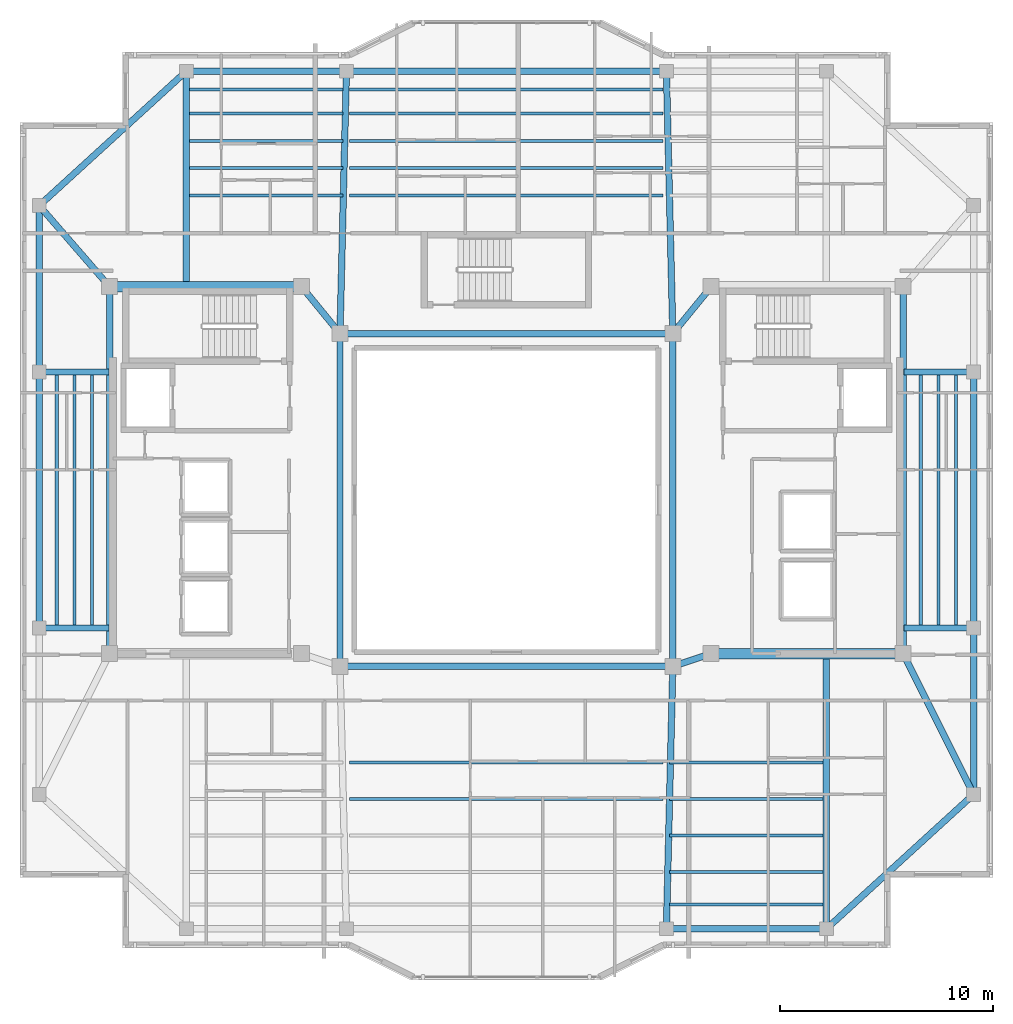
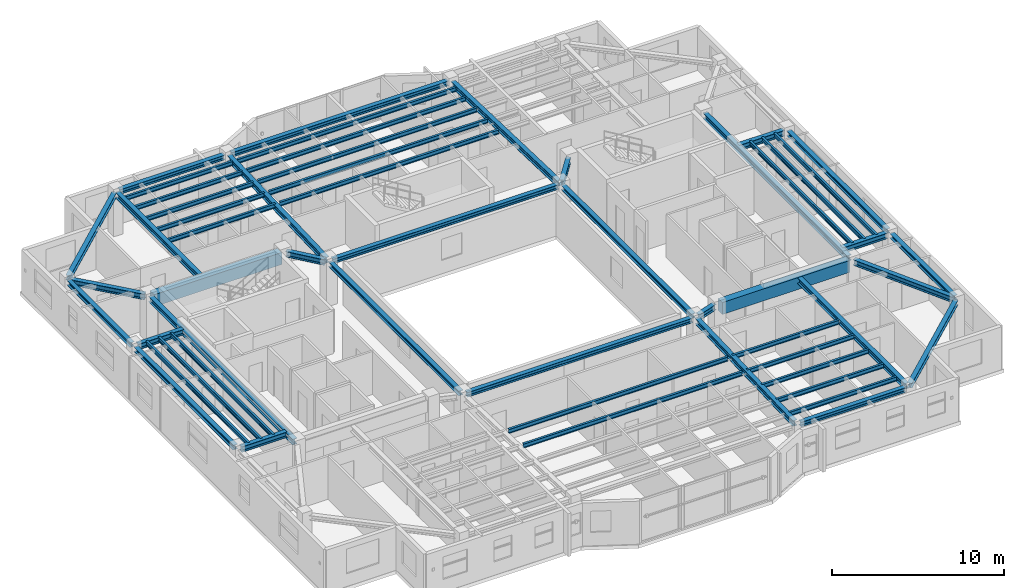
# One storey, part 3 of 15: 54 beams.
"""IFC4 building model written with IfcOpenShell, lengths in metres."""

from ifc_helpers import new_model, si_unit, direction, frame, origin, origin_2d, place, context, subcontext, project, spatial, rectangle, i_section, extrude, material, material_profile, profile_set, type_object, element, save


model = new_model("IFC4")

# Units and contexts
model_context = context("Model", 3, precision=1e-05, world=origin(), true_north=direction((0.0, 1.0)))
body_context = subcontext(model_context, "Body", "Model", "MODEL_VIEW")
ifc_project = project(units=[si_unit("LENGTHUNIT", "METRE"), si_unit("AREAUNIT", "SQUARE_METRE"), si_unit("VOLUMEUNIT", "CUBIC_METRE"), si_unit("PLANEANGLEUNIT", "RADIAN"), si_unit("MASSUNIT", "GRAM", prefix="KILO")], contexts=[model_context])

# Site, building, storey
site_placement = place(None, origin())
site = spatial("IfcSite", under=ifc_project, at=site_placement, CompositionType="ELEMENT")
building_placement = place(site_placement, origin())
building = spatial("IfcBuilding", under=site, at=building_placement, Name="Tarnavaz Court Tower", CompositionType="ELEMENT")
storey_placement = place(building_placement, frame((0.0, 0.0, 268.300048828125)))
storey = spatial("IfcBuildingStorey", under=building, at=storey_placement, Name="L73", CompositionType="ELEMENT", Elevation=268.300048828125)

# Beams
ifc_material_1 = material(Name="Concrete C50/60", Category="concrete")
ifc_material_profile_1 = material_profile(ifc_material_1, rectangle(XDim=0.5, YDim=0.85009765625, at=origin_2d()), Name="RC 500X850")
ifc_profile_set_1 = profile_set([ifc_material_profile_1], Name="Concrete C50/60")
beam_type_1 = type_object("IfcBeamType", Name="BM-CB850", PredefinedType="LINTEL", material=ifc_profile_set_1)
for number, where, z_axis, x_axis, name in (
    (1, (-18.3798828125, 10.0, 2.625), (1.0, 0.0, 0.0), (0.0, 1.0, 0.0), "L73 Beam IN-CW-NO-CW-NI"),
    (2, (18.3798828125, -7.199951171875, 2.625), (-1.0, 0.0, 0.0), (0.0, -1.0, 0.0), "L73 Beam IN-CE-SO-CE-SI"),
):
    element("IfcBeam", number, at=place(storey_placement, frame(where, z_axis=z_axis, x_axis=x_axis)), inside=storey, type_object=beam_type_1, Name=name, PredefinedType="LINTEL", context=body_context, shape_type="SweptSolid", body=[
        extrude(rectangle(XDim=0.5, YDim=0.85009765625, at=origin_2d()), origin(), (0.0, 0.0, 1.0), 8.559814453125),
    ])
ifc_material_2 = material(Name="Steel S355", Category="steel")
ifc_material_profile_2 = material_profile(ifc_material_2, i_section(OverallWidth=0.300048828125, OverallDepth=0.39990234375, WebThickness=0.013427734375, FlangeThickness=0.02392578125, FilletRadius=0.027099609375, at=origin_2d()), Name="HEB 400")
ifc_profile_set_2 = profile_set([ifc_material_profile_2], Name="Steel S355")
beam_type_2 = type_object("IfcBeamType", Name="BM-G-HEB400", PredefinedType="USERDEFINED", material=ifc_profile_set_2)
beam_1_placement = place(storey_placement, frame((9.391357421875, -7.26953125, 2.849853515625), z_axis=(-0.948666544706, -0.316278021615, 0.0), x_axis=(0.316278021615, -0.948666544706, 0.0)))
element("IfcBeam", 3, at=beam_1_placement, inside=storey, type_object=beam_type_2, Name="L73 Beam IN-CE-SI-IW-SE", ObjectType="GIRDER", PredefinedType="USERDEFINED", context=body_context, shape_type="SweptSolid", body=[
    extrude(i_section(OverallWidth=0.300048828125, OverallDepth=0.39990234375, WebThickness=0.013427734375, FlangeThickness=0.02392578125, FilletRadius=0.027099609375, at=origin_2d()), origin(), (0.0, 0.0, 1.0), 1.457275390625),
])
for number, where, z_axis, x_axis, name in (
    (4, (-9.460693359375, 9.82958984375, 2.849853515625), (0.633282058357, -0.773921077735, 0.0), (0.773921077735, 0.633282058357, 0.0), "L73 Beam IN-CW-NI-IW-NW"),
    (5, (9.460693359375, 9.82958984375, 2.849853515625), (-0.633282058357, -0.773921077735, 0.0), (0.773921077735, -0.633282058357, 0.0), "L73 Beam IN-CE-NI-IW-NE"),
):
    element("IfcBeam", number, at=place(storey_placement, frame(where, z_axis=z_axis, x_axis=x_axis)), inside=storey, type_object=beam_type_2, Name=name, ObjectType="GIRDER", PredefinedType="USERDEFINED", context=body_context, shape_type="SweptSolid", body=[
        extrude(i_section(OverallWidth=0.300048828125, OverallDepth=0.39990234375, WebThickness=0.013427734375, FlangeThickness=0.02392578125, FilletRadius=0.027099609375, at=origin_2d()), origin(), (0.0, 0.0, 1.0), 2.402587890625),
    ])
for number, where, z_axis, x_axis, name in (
    (6, (-18.60009765625, -6.97998046875, 2.849853515625), (0.0, 1.0, 0.0), (-1.0, 0.0, 0.0), "L73 Beam IN-CW-SO-CW-NO"),
    (7, (18.60009765625, -6.97998046875, 2.849853515625), (0.0, 1.0, 0.0), (-1.0, 0.0, 0.0), "L73 Beam IN-CE-SO-CE-NO"),
):
    element("IfcBeam", number, at=place(storey_placement, frame(where, z_axis=z_axis, x_axis=x_axis)), inside=storey, type_object=beam_type_2, Name=name, ObjectType="GIRDER", PredefinedType="USERDEFINED", context=body_context, shape_type="SweptSolid", body=[
        extrude(i_section(OverallWidth=0.300048828125, OverallDepth=0.39990234375, WebThickness=0.013427734375, FlangeThickness=0.02392578125, FilletRadius=0.027099609375, at=origin_2d()), origin(), (0.0, 0.0, 1.0), 16.760009765625),
    ])
beam_2_placement = place(storey_placement, frame((-15.0, 10.0400390625, 2.849853515625), z_axis=(0.0, 1.0, 0.0), x_axis=(-1.0, 0.0, 0.0)))
element("IfcBeam", 8, at=beam_2_placement, inside=storey, type_object=beam_type_2, Name="L73 Beam RG-01", ObjectType="GIRDER", PredefinedType="USERDEFINED", context=body_context, shape_type="SweptSolid", body=[
    extrude(i_section(OverallWidth=0.300048828125, OverallDepth=0.39990234375, WebThickness=0.013427734375, FlangeThickness=0.02392578125, FilletRadius=0.027099609375, at=origin_2d()), origin(), (0.0, 0.0, 1.0), 9.83984375),
])
for number, where, z_axis, x_axis, name in (
    (9, (-7.794677734375, 8.02001953125, 2.849853515625), (0.024386002211, 0.99970261723, 0.0), (-0.99970261723, 0.024386002211, 0.0), "L73 Beam RG-02"),
    (10, (7.794677734375, 8.02001953125, 2.849853515625), (-0.024386002211, 0.99970261723, 0.0), (-0.99970261723, -0.024386002211, 0.0), "L73 Beam RG-03"),
    (11, (7.794677734375, -8.02001953125, 2.849853515625), (-0.024386002211, -0.99970261723, 0.0), (0.99970261723, -0.024386002211, 0.0), "L73 Beam RG-07"),
):
    element("IfcBeam", number, at=place(storey_placement, frame(where, z_axis=z_axis, x_axis=x_axis)), inside=storey, type_object=beam_type_2, Name=name, ObjectType="GIRDER", PredefinedType="USERDEFINED", context=body_context, shape_type="SweptSolid", body=[
        extrude(i_section(OverallWidth=0.300048828125, OverallDepth=0.39990234375, WebThickness=0.013427734375, FlangeThickness=0.02392578125, FilletRadius=0.027099609375, at=origin_2d()), origin(), (0.0, 0.0, 1.0), 11.863525390625),
    ])
beam_3_placement = place(storey_placement, frame((15.0, -7.239990234375, 2.849853515625), z_axis=(0.0, -1.0, 0.0), x_axis=(1.0, 0.0, 0.0)))
element("IfcBeam", 12, at=beam_3_placement, inside=storey, type_object=beam_type_2, Name="L73 Beam RG-08", ObjectType="GIRDER", PredefinedType="USERDEFINED", context=body_context, shape_type="SweptSolid", body=[
    extrude(i_section(OverallWidth=0.300048828125, OverallDepth=0.39990234375, WebThickness=0.013427734375, FlangeThickness=0.02392578125, FilletRadius=0.027099609375, at=origin_2d()), origin(), (0.0, 0.0, 1.0), 12.639892578125),
])
for number, where, z_axis, x_axis, name in (
    (13, (18.639892578125, -6.0, 2.849853515625), (1.0, 0.0, 0.0), (0.0, 1.0, 0.0), "L73 Beam RG-09"),
    (14, (18.639892578125, 6.0, 2.849853515625), (1.0, 0.0, 0.0), (0.0, 1.0, 0.0), "L73 Beam RG-10"),
):
    element("IfcBeam", number, at=place(storey_placement, frame(where, z_axis=z_axis, x_axis=x_axis)), inside=storey, type_object=beam_type_2, Name=name, ObjectType="GIRDER", PredefinedType="USERDEFINED", context=body_context, shape_type="SweptSolid", body=[
        extrude(i_section(OverallWidth=0.300048828125, OverallDepth=0.39990234375, WebThickness=0.013427734375, FlangeThickness=0.02392578125, FilletRadius=0.027099609375, at=origin_2d()), origin(), (0.0, 0.0, 1.0), 3.0400390625),
    ])
beam_4_placement = place(storey_placement, frame((18.698486328125, -7.396728515625, 2.849853515625), z_axis=(0.447185448279, -0.894441264057, 0.0), x_axis=(0.894441264057, 0.447185448279, 0.0)))
element("IfcBeam", 15, at=beam_4_placement, inside=storey, type_object=beam_type_2, Name="L73 Beam RG-11", ObjectType="GIRDER", PredefinedType="USERDEFINED", context=body_context, shape_type="SweptSolid", body=[
    extrude(i_section(OverallWidth=0.300048828125, OverallDepth=0.39990234375, WebThickness=0.013427734375, FlangeThickness=0.02392578125, FilletRadius=0.027099609375, at=origin_2d()), origin(), (0.0, 0.0, 1.0), 6.93896484375),
])
for number, where, z_axis, x_axis, name in (
    (16, (-18.639892578125, -6.0, 2.849853515625), (-1.0, 0.0, 0.0), (0.0, -1.0, 0.0), "L73 Beam RG-13"),
    (17, (-18.639892578125, 6.0, 2.849853515625), (-1.0, 0.0, 0.0), (0.0, -1.0, 0.0), "L73 Beam RG-14"),
):
    element("IfcBeam", number, at=place(storey_placement, frame(where, z_axis=z_axis, x_axis=x_axis)), inside=storey, type_object=beam_type_2, Name=name, ObjectType="GIRDER", PredefinedType="USERDEFINED", context=body_context, shape_type="SweptSolid", body=[
        extrude(i_section(OverallWidth=0.300048828125, OverallDepth=0.39990234375, WebThickness=0.013427734375, FlangeThickness=0.02392578125, FilletRadius=0.027099609375, at=origin_2d()), origin(), (0.0, 0.0, 1.0), 3.0400390625),
    ])
beam_5_placement = place(storey_placement, frame((-18.744384765625, 10.166015625, 2.849853515625), z_axis=(-0.65565475567, 0.755060819648, 0.0), x_axis=(-0.755060819648, -0.65565475567, 0.0)))
element("IfcBeam", 18, at=beam_5_placement, inside=storey, type_object=beam_type_2, Name="L73 Beam RG-16", ObjectType="GIRDER", PredefinedType="USERDEFINED", context=body_context, shape_type="SweptSolid", body=[
    extrude(i_section(OverallWidth=0.300048828125, OverallDepth=0.39990234375, WebThickness=0.013427734375, FlangeThickness=0.02392578125, FilletRadius=0.027099609375, at=origin_2d()), origin(), (0.0, 0.0, 1.0), 4.5927734375),
])
ifc_material_profile_3 = material_profile(ifc_material_2, i_section(OverallWidth=0.14990234375, OverallDepth=0.300048828125, WebThickness=0.007080078125, FlangeThickness=0.0107421875, FilletRadius=0.014892578125, at=origin_2d()), Name="IPE 300")
ifc_profile_set_3 = profile_set([ifc_material_profile_3], Name="Steel S355")
beam_type_3 = type_object("IfcBeamType", Name="BM-J-IPE300", PredefinedType="JOIST", material=ifc_profile_set_3)
beam_6_placement = place(storey_placement, frame((-14.85009765625, 14.278076171875, 2.89990234375), z_axis=(1.0, 0.0, 0.0), x_axis=(0.0, 1.0, 0.0)))
element("IfcBeam", 19, at=beam_6_placement, inside=storey, type_object=beam_type_3, Name="L73 Beam JN1-1", PredefinedType="JOIST", context=body_context, shape_type="SweptSolid", body=[
    extrude(i_section(OverallWidth=0.14990234375, OverallDepth=0.300048828125, WebThickness=0.007080078125, FlangeThickness=0.0107421875, FilletRadius=0.014892578125, at=origin_2d()), origin(), (0.0, 0.0, 1.0), 7.2001953125),
])
for number, where, z_axis, x_axis, name in (
    (20, (-7.35009765625, 14.278076171875, 2.89990234375), (1.0, 0.0, 0.0), (0.0, 1.0, 0.0), "L73 Beam JN1-2"),
    (21, (-7.35009765625, -12.31005859375, 2.89990234375), (1.0, 0.0, 0.0), (0.0, 1.0, 0.0), "L73 Beam JS1-2"),
):
    element("IfcBeam", number, at=place(storey_placement, frame(where, z_axis=z_axis, x_axis=x_axis)), inside=storey, type_object=beam_type_3, Name=name, PredefinedType="JOIST", context=body_context, shape_type="SweptSolid", body=[
        extrude(i_section(OverallWidth=0.14990234375, OverallDepth=0.300048828125, WebThickness=0.007080078125, FlangeThickness=0.0107421875, FilletRadius=0.014892578125, at=origin_2d()), origin(), (0.0, 0.0, 1.0), 14.7001953125),
    ])
for number, where, z_axis, x_axis, name in (
    (22, (7.64990234375, -12.31005859375, 2.89990234375), (1.0, 0.0, 0.0), (0.0, 1.0, 0.0), "L73 Beam JS1-3"),
    (23, (-14.85009765625, 15.555908203125, 2.89990234375), (1.0, 0.0, 0.0), (0.0, 1.0, 0.0), "L73 Beam JN2-1"),
):
    element("IfcBeam", number, at=place(storey_placement, frame(where, z_axis=z_axis, x_axis=x_axis)), inside=storey, type_object=beam_type_3, Name=name, PredefinedType="JOIST", context=body_context, shape_type="SweptSolid", body=[
        extrude(i_section(OverallWidth=0.14990234375, OverallDepth=0.300048828125, WebThickness=0.007080078125, FlangeThickness=0.0107421875, FilletRadius=0.014892578125, at=origin_2d()), origin(), (0.0, 0.0, 1.0), 7.2001953125),
    ])
for number, where, z_axis, x_axis, name in (
    (24, (-7.35009765625, 15.555908203125, 2.89990234375), (1.0, 0.0, 0.0), (0.0, 1.0, 0.0), "L73 Beam JN2-2"),
    (25, (-7.35009765625, -14.02001953125, 2.89990234375), (1.0, 0.0, 0.0), (0.0, 1.0, 0.0), "L73 Beam JS2-2"),
):
    element("IfcBeam", number, at=place(storey_placement, frame(where, z_axis=z_axis, x_axis=x_axis)), inside=storey, type_object=beam_type_3, Name=name, PredefinedType="JOIST", context=body_context, shape_type="SweptSolid", body=[
        extrude(i_section(OverallWidth=0.14990234375, OverallDepth=0.300048828125, WebThickness=0.007080078125, FlangeThickness=0.0107421875, FilletRadius=0.014892578125, at=origin_2d()), origin(), (0.0, 0.0, 1.0), 14.7001953125),
    ])
for number, where, z_axis, x_axis, name in (
    (26, (7.64990234375, -14.02001953125, 2.89990234375), (1.0, 0.0, 0.0), (0.0, 1.0, 0.0), "L73 Beam JS2-3"),
    (27, (-14.85009765625, 16.833984375, 2.89990234375), (1.0, 0.0, 0.0), (0.0, 1.0, 0.0), "L73 Beam JN3-1"),
):
    element("IfcBeam", number, at=place(storey_placement, frame(where, z_axis=z_axis, x_axis=x_axis)), inside=storey, type_object=beam_type_3, Name=name, PredefinedType="JOIST", context=body_context, shape_type="SweptSolid", body=[
        extrude(i_section(OverallWidth=0.14990234375, OverallDepth=0.300048828125, WebThickness=0.007080078125, FlangeThickness=0.0107421875, FilletRadius=0.014892578125, at=origin_2d()), origin(), (0.0, 0.0, 1.0), 7.2001953125),
    ])
beam_7_placement = place(storey_placement, frame((-7.35009765625, 16.833984375, 2.89990234375), z_axis=(1.0, 0.0, 0.0), x_axis=(0.0, 1.0, 0.0)))
element("IfcBeam", 28, at=beam_7_placement, inside=storey, type_object=beam_type_3, Name="L73 Beam JN3-2", PredefinedType="JOIST", context=body_context, shape_type="SweptSolid", body=[
    extrude(i_section(OverallWidth=0.14990234375, OverallDepth=0.300048828125, WebThickness=0.007080078125, FlangeThickness=0.0107421875, FilletRadius=0.014892578125, at=origin_2d()), origin(), (0.0, 0.0, 1.0), 14.7001953125),
])
for number, where, z_axis, x_axis, name in (
    (29, (7.64990234375, -15.72998046875, 2.89990234375), (1.0, 0.0, 0.0), (0.0, 1.0, 0.0), "L73 Beam JS3-3"),
    (30, (-14.85009765625, 18.112060546875, 2.89990234375), (1.0, 0.0, 0.0), (0.0, 1.0, 0.0), "L73 Beam JN4-1"),
):
    element("IfcBeam", number, at=place(storey_placement, frame(where, z_axis=z_axis, x_axis=x_axis)), inside=storey, type_object=beam_type_3, Name=name, PredefinedType="JOIST", context=body_context, shape_type="SweptSolid", body=[
        extrude(i_section(OverallWidth=0.14990234375, OverallDepth=0.300048828125, WebThickness=0.007080078125, FlangeThickness=0.0107421875, FilletRadius=0.014892578125, at=origin_2d()), origin(), (0.0, 0.0, 1.0), 7.2001953125),
    ])
beam_8_placement = place(storey_placement, frame((-7.35009765625, 18.112060546875, 2.89990234375), z_axis=(1.0, 0.0, 0.0), x_axis=(0.0, 1.0, 0.0)))
element("IfcBeam", 31, at=beam_8_placement, inside=storey, type_object=beam_type_3, Name="L73 Beam JN4-2", PredefinedType="JOIST", context=body_context, shape_type="SweptSolid", body=[
    extrude(i_section(OverallWidth=0.14990234375, OverallDepth=0.300048828125, WebThickness=0.007080078125, FlangeThickness=0.0107421875, FilletRadius=0.014892578125, at=origin_2d()), origin(), (0.0, 0.0, 1.0), 14.7001953125),
])
for number, where, z_axis, x_axis, name in (
    (32, (7.64990234375, -17.43994140625, 2.89990234375), (1.0, 0.0, 0.0), (0.0, 1.0, 0.0), "L73 Beam JS4-3"),
    (33, (-14.85009765625, 19.248046875, 2.89990234375), (1.0, 0.0, 0.0), (0.0, 1.0, 0.0), "L73 Beam JN5-1"),
):
    element("IfcBeam", number, at=place(storey_placement, frame(where, z_axis=z_axis, x_axis=x_axis)), inside=storey, type_object=beam_type_3, Name=name, PredefinedType="JOIST", context=body_context, shape_type="SweptSolid", body=[
        extrude(i_section(OverallWidth=0.14990234375, OverallDepth=0.300048828125, WebThickness=0.007080078125, FlangeThickness=0.0107421875, FilletRadius=0.014892578125, at=origin_2d()), origin(), (0.0, 0.0, 1.0), 7.2001953125),
    ])
beam_9_placement = place(storey_placement, frame((-7.35009765625, 19.248046875, 2.89990234375), z_axis=(1.0, 0.0, 0.0), x_axis=(0.0, 1.0, 0.0)))
element("IfcBeam", 34, at=beam_9_placement, inside=storey, type_object=beam_type_3, Name="L73 Beam JN5-2", PredefinedType="JOIST", context=body_context, shape_type="SweptSolid", body=[
    extrude(i_section(OverallWidth=0.14990234375, OverallDepth=0.300048828125, WebThickness=0.007080078125, FlangeThickness=0.0107421875, FilletRadius=0.014892578125, at=origin_2d()), origin(), (0.0, 0.0, 1.0), 14.7001953125),
])
beam_10_placement = place(storey_placement, frame((7.64990234375, -18.9599609375, 2.89990234375), z_axis=(1.0, 0.0, 0.0), x_axis=(0.0, 1.0, 0.0)))
element("IfcBeam", 35, at=beam_10_placement, inside=storey, type_object=beam_type_3, Name="L73 Beam JS5-3", PredefinedType="JOIST", context=body_context, shape_type="SweptSolid", body=[
    extrude(i_section(OverallWidth=0.14990234375, OverallDepth=0.300048828125, WebThickness=0.007080078125, FlangeThickness=0.0107421875, FilletRadius=0.014892578125, at=origin_2d()), origin(), (0.0, 0.0, 1.0), 7.2001953125),
])
for number, where, z_axis, x_axis, name in (
    (36, (19.425048828125, -5.9599609375, 2.89990234375), (0.0, 1.0, 0.0), (-1.0, 0.0, 0.0), "L73 Beam JE1"),
    (37, (-19.425048828125, -5.9599609375, 2.89990234375), (0.0, 1.0, 0.0), (-1.0, 0.0, 0.0), "L73 Beam JW1"),
    (38, (20.25, -5.9599609375, 2.89990234375), (0.0, 1.0, 0.0), (-1.0, 0.0, 0.0), "L73 Beam JE2"),
    (39, (-20.25, -5.9599609375, 2.89990234375), (0.0, 1.0, 0.0), (-1.0, 0.0, 0.0), "L73 Beam JW2"),
    (40, (21.074951171875, -5.9599609375, 2.89990234375), (0.0, 1.0, 0.0), (-1.0, 0.0, 0.0), "L73 Beam JE3"),
    (41, (-21.074951171875, -5.9599609375, 2.89990234375), (0.0, 1.0, 0.0), (-1.0, 0.0, 0.0), "L73 Beam JW3"),
):
    element("IfcBeam", number, at=place(storey_placement, frame(where, z_axis=z_axis, x_axis=x_axis)), inside=storey, type_object=beam_type_3, Name=name, PredefinedType="JOIST", context=body_context, shape_type="SweptSolid", body=[
        extrude(i_section(OverallWidth=0.14990234375, OverallDepth=0.300048828125, WebThickness=0.007080078125, FlangeThickness=0.0107421875, FilletRadius=0.014892578125, at=origin_2d()), origin(), (0.0, 0.0, 1.0), 11.919921875),
    ])
ifc_material_profile_4 = material_profile(ifc_material_2, i_section(OverallWidth=0.300048828125, OverallDepth=0.330078125, WebThickness=0.009521484375, FlangeThickness=0.0166015625, FilletRadius=0.027099609375, at=origin_2d()), Name="HEA 340")
ifc_profile_set_4 = profile_set([ifc_material_profile_4], Name="Steel S355")
beam_type_4 = type_object("IfcBeamType", Name="BM-SP-HEA340", PredefinedType="BEAM", material=ifc_profile_set_4)
for number, where, z_axis, x_axis, name in (
    (42, (-7.580078125, -7.800048828125, 2.885009765625), (1.0, 0.0, 0.0), (0.0, 1.0, 0.0), "L73 Beam IN-IW-SW-IW-SE"),
    (43, (-7.580078125, 7.800048828125, 2.885009765625), (1.0, 0.0, 0.0), (0.0, 1.0, 0.0), "L73 Beam IN-IW-NW-IW-NE"),
    (44, (-7.800048828125, -7.580078125, 2.885009765625), (0.0, 1.0, 0.0), (-1.0, 0.0, 0.0), "L73 Beam IN-IW-SW-IW-NW"),
    (45, (7.800048828125, -7.580078125, 2.885009765625), (0.0, 1.0, 0.0), (-1.0, 0.0, 0.0), "L73 Beam IN-IW-SE-IW-NE"),
):
    element("IfcBeam", number, at=place(storey_placement, frame(where, z_axis=z_axis, x_axis=x_axis)), inside=storey, type_object=beam_type_4, Name=name, PredefinedType="BEAM", context=body_context, shape_type="SweptSolid", body=[
        extrude(i_section(OverallWidth=0.300048828125, OverallDepth=0.330078125, WebThickness=0.009521484375, FlangeThickness=0.0166015625, FilletRadius=0.027099609375, at=origin_2d()), origin(), (0.0, 0.0, 1.0), 15.16015625),
    ])
beam_11_placement = place(storey_placement, frame((-14.780029296875, 20.10009765625, 2.885009765625), z_axis=(1.0, 0.0, 0.0), x_axis=(0.0, 1.0, 0.0)))
element("IfcBeam", 46, at=beam_11_placement, inside=storey, type_object=beam_type_4, Name="L73 Beam PR-PN-1-PN-2", PredefinedType="BEAM", context=body_context, shape_type="SweptSolid", body=[
    extrude(i_section(OverallWidth=0.300048828125, OverallDepth=0.330078125, WebThickness=0.009521484375, FlangeThickness=0.0166015625, FilletRadius=0.027099609375, at=origin_2d()), origin(), (0.0, 0.0, 1.0), 7.06005859375),
])
beam_12_placement = place(storey_placement, frame((-7.280029296875, 20.10009765625, 2.885009765625), z_axis=(1.0, 0.0, 0.0), x_axis=(0.0, 1.0, 0.0)))
element("IfcBeam", 47, at=beam_12_placement, inside=storey, type_object=beam_type_4, Name="L73 Beam PR-PN-2-PN-3", PredefinedType="BEAM", context=body_context, shape_type="SweptSolid", body=[
    extrude(i_section(OverallWidth=0.300048828125, OverallDepth=0.330078125, WebThickness=0.009521484375, FlangeThickness=0.0166015625, FilletRadius=0.027099609375, at=origin_2d()), origin(), (0.0, 0.0, 1.0), 14.56005859375),
])
beam_13_placement = place(storey_placement, frame((7.719970703125, -20.10009765625, 2.885009765625), z_axis=(1.0, 0.0, 0.0), x_axis=(0.0, 1.0, 0.0)))
element("IfcBeam", 48, at=beam_13_placement, inside=storey, type_object=beam_type_4, Name="L73 Beam PR-PS-3-PS-4", PredefinedType="BEAM", context=body_context, shape_type="SweptSolid", body=[
    extrude(i_section(OverallWidth=0.300048828125, OverallDepth=0.330078125, WebThickness=0.009521484375, FlangeThickness=0.0166015625, FilletRadius=0.027099609375, at=origin_2d()), origin(), (0.0, 0.0, 1.0), 7.06005859375),
])
beam_14_placement = place(storey_placement, frame((21.89990234375, -13.580078125, 2.885009765625), z_axis=(0.0, 1.0, 0.0), x_axis=(-1.0, 0.0, 0.0)))
element("IfcBeam", 49, at=beam_14_placement, inside=storey, type_object=beam_type_4, Name="L73 Beam PR-PE-1-PE-2", PredefinedType="BEAM", context=body_context, shape_type="SweptSolid", body=[
    extrude(i_section(OverallWidth=0.300048828125, OverallDepth=0.330078125, WebThickness=0.009521484375, FlangeThickness=0.0166015625, FilletRadius=0.027099609375, at=origin_2d()), origin(), (0.0, 0.0, 1.0), 7.360107421875),
])
for number, where, z_axis, x_axis, name in (
    (50, (21.89990234375, -5.780029296875, 2.885009765625), (0.0, 1.0, 0.0), (-1.0, 0.0, 0.0), "L73 Beam PR-PE-2-PE-3"),
    (51, (-21.89990234375, -5.780029296875, 2.885009765625), (0.0, 1.0, 0.0), (-1.0, 0.0, 0.0), "L73 Beam PR-PW-2-PW-3"),
):
    element("IfcBeam", number, at=place(storey_placement, frame(where, z_axis=z_axis, x_axis=x_axis)), inside=storey, type_object=beam_type_4, Name=name, PredefinedType="BEAM", context=body_context, shape_type="SweptSolid", body=[
        extrude(i_section(OverallWidth=0.300048828125, OverallDepth=0.330078125, WebThickness=0.009521484375, FlangeThickness=0.0166015625, FilletRadius=0.027099609375, at=origin_2d()), origin(), (0.0, 0.0, 1.0), 11.56005859375),
    ])
beam_15_placement = place(storey_placement, frame((-21.89990234375, 6.219970703125, 2.885009765625), z_axis=(0.0, 1.0, 0.0), x_axis=(-1.0, 0.0, 0.0)))
element("IfcBeam", 52, at=beam_15_placement, inside=storey, type_object=beam_type_4, Name="L73 Beam PR-PW-3-PW-4", PredefinedType="BEAM", context=body_context, shape_type="SweptSolid", body=[
    extrude(i_section(OverallWidth=0.300048828125, OverallDepth=0.330078125, WebThickness=0.009521484375, FlangeThickness=0.0166015625, FilletRadius=0.027099609375, at=origin_2d()), origin(), (0.0, 0.0, 1.0), 7.360107421875),
])
for number, where, z_axis, x_axis, name in (
    (53, (21.737548828125, -13.9482421875, 2.885009765625), (-0.738474214476, -0.674281717499, 0.0), (0.674281717499, -0.738474214476, 0.0), "L73 Beam PR-PE-1-PS-4"),
    (54, (-21.737548828125, 13.9482421875, 2.885009765625), (0.738474214476, 0.674281717499, 0.0), (-0.674281717499, 0.738474214476, 0.0), "L73 Beam PR-PW-4-PN-1"),
):
    element("IfcBeam", number, at=place(storey_placement, frame(where, z_axis=z_axis, x_axis=x_axis)), inside=storey, type_object=beam_type_4, Name=name, PredefinedType="BEAM", context=body_context, shape_type="SweptSolid", body=[
        extrude(i_section(OverallWidth=0.300048828125, OverallDepth=0.330078125, WebThickness=0.009521484375, FlangeThickness=0.0166015625, FilletRadius=0.027099609375, at=origin_2d()), origin(), (0.0, 0.0, 1.0), 8.9033203125),
    ])

save(model, "model.ifc")
